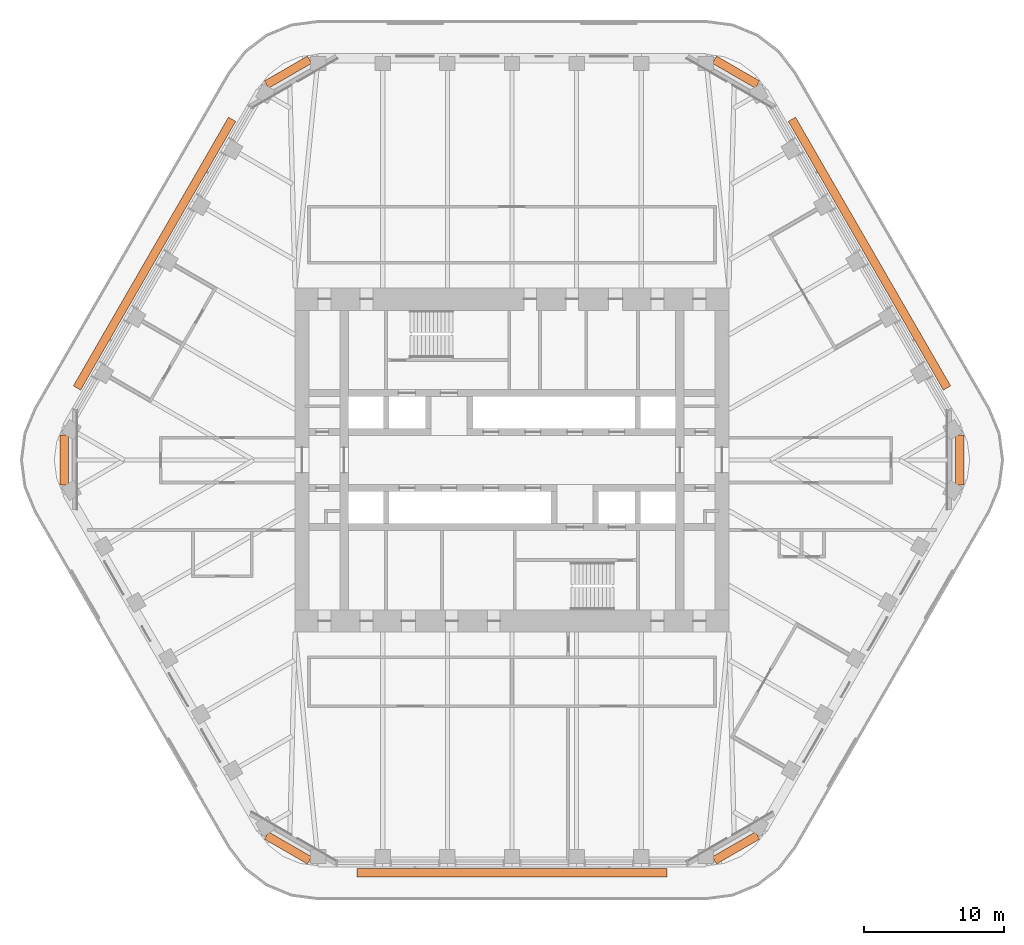
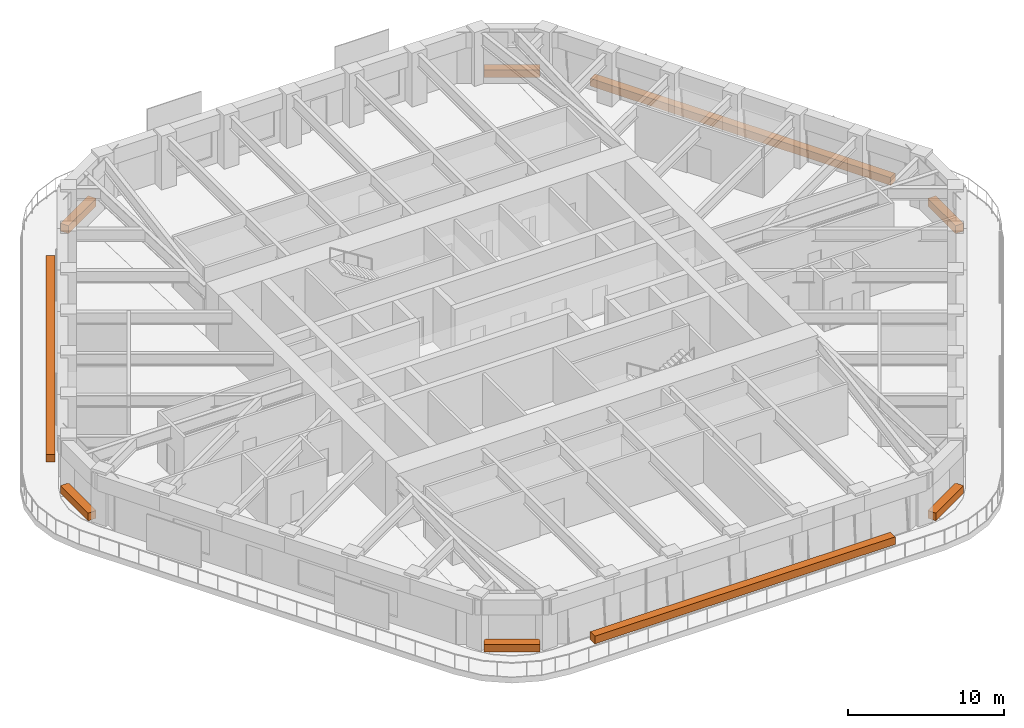
# One storey, part 20 of 20: 9 proxies.
"""IFC4 building model written with IfcOpenShell, lengths in metres."""

from ifc_helpers import new_model, si_unit, direction, frame, origin, origin_2d, place, context, subcontext, project, spatial, rectangle, extrude, material, element, save


model = new_model("IFC4")

# Units and contexts
model_context = context("Model", 3, precision=1e-05, world=origin(), true_north=direction((0.0, 1.0)))
body_context = subcontext(model_context, "Body", "Model", "MODEL_VIEW")
ifc_project = project(units=[si_unit("LENGTHUNIT", "METRE"), si_unit("AREAUNIT", "SQUARE_METRE"), si_unit("VOLUMEUNIT", "CUBIC_METRE"), si_unit("PLANEANGLEUNIT", "RADIAN"), si_unit("MASSUNIT", "GRAM", prefix="KILO")], contexts=[model_context])

# Site, building, storey
site_placement = place(None, origin())
site = spatial("IfcSite", under=ifc_project, at=site_placement, CompositionType="ELEMENT")
building_placement = place(site_placement, origin())
building = spatial("IfcBuilding", under=site, at=building_placement, Name="Tarfa Lantern Tower", CompositionType="ELEMENT")
storey_placement = place(building_placement, frame((0.0, 0.0, 282.699951171875)))
storey = spatial("IfcBuildingStorey", under=building, at=storey_placement, Name="L64", CompositionType="ELEMENT", Elevation=282.699951171875)

# Proxies
ifc_material = material(Name="Planting bed")
for number, where, z_axis, x_axis, name in (
    (1, (16.006591796875, 27.72412109375, 0.0400390625), (0.0, 0.0, 1.0), (-0.866025403784, 0.5, 0.0), "Sky garden planter"),
    (2, (-16.006591796875, 27.72412109375, 0.0400390625), (0.0, 0.0, 1.0), (-0.866025403784, -0.5, 0.0), "Sky garden planter"),
    (3, (-32.012939453125, 0.0, 0.0400390625), (0.0, 0.0, 1.0), (0.0, -1.0, 0.0), "Sky garden planter"),
    (4, (-16.006591796875, -27.72412109375, 0.0400390625), (0.0, 0.0, 1.0), (0.866025403784, -0.5, 0.0), "Sky garden planter"),
    (5, (16.006591796875, -27.72412109375, 0.0400390625), (0.0, 0.0, 1.0), (0.866025403784, 0.5, 0.0), "Sky garden planter"),
    (6, (32.012939453125, 0.0, 0.0400390625), (0.0, 0.0, 1.0), (0.0, 1.0, 0.0), "Sky garden planter"),
):
    element("IfcBuildingElementProxy", number, at=place(storey_placement, frame(where, z_axis=z_axis, x_axis=x_axis)), inside=storey, material=ifc_material, Name=name, ObjectType="PLANTER", PredefinedType="USERDEFINED", context=body_context, shape_type="SweptSolid", body=[
        extrude(rectangle(XDim=3.551025390625, YDim=0.60009765625, at=origin_2d()), origin(), (0.0, 0.0, 1.0), 0.60009765625),
    ])
for number, where, z_axis, x_axis, name in (
    (7, (25.5478515625, 14.75, 0.0), (0.0, 0.0, 1.0), (-0.5, 0.866025403784, 0.0), "Balcony planter"),
    (8, (-25.5478515625, 14.75, 0.0), (0.0, 0.0, 1.0), (-0.5, -0.866025403784, 0.0), "Balcony planter"),
    (9, (0.0, -29.5, 0.0), (0.0, 0.0, 1.0), (1.0, 0.0, 0.0), "Balcony planter"),
):
    element("IfcBuildingElementProxy", number, at=place(storey_placement, frame(where, z_axis=z_axis, x_axis=x_axis)), inside=storey, material=ifc_material, Name=name, ObjectType="PLANTER", PredefinedType="USERDEFINED", context=body_context, shape_type="SweptSolid", body=[
        extrude(rectangle(XDim=22.170166015625, YDim=0.60009765625, at=origin_2d()), origin(), (0.0, 0.0, 1.0), 0.60009765625),
    ])

save(model, "model.ifc")
